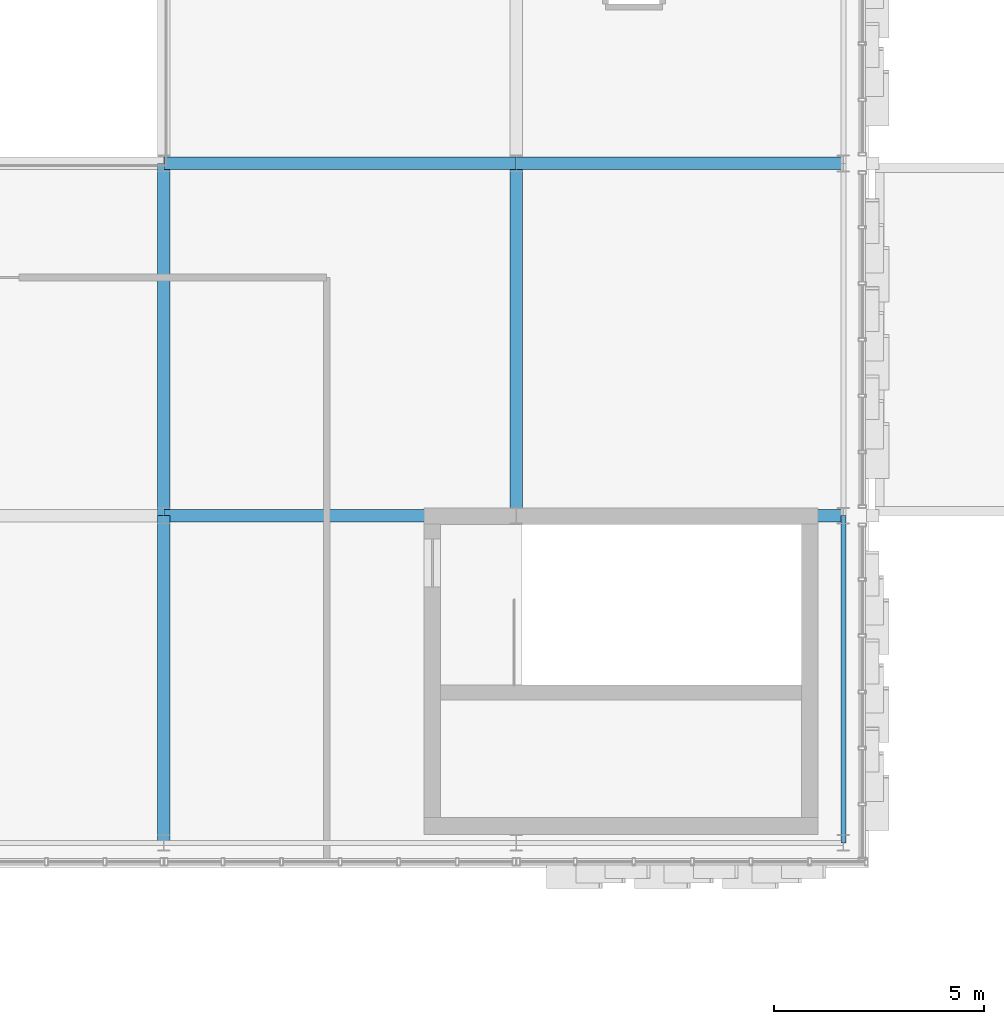
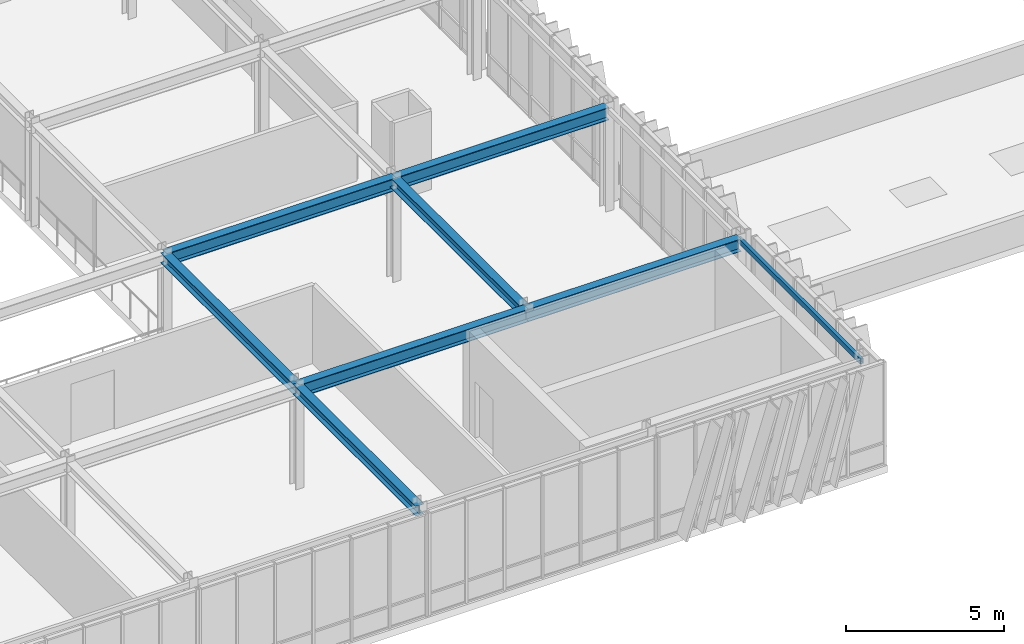
# One storey, part 51 of 123: 8 beams.
"""IFC4 building model written with IfcOpenShell, lengths in metres."""

from ifc_helpers import new_model, si_unit, direction, frame, origin, origin_2d, place, context, subcontext, project, spatial, hollow_rectangle, i_section, extrude, material, material_profile, profile_set, type_object, element, save


model = new_model("IFC4")

# Units and contexts
model_context = context("Model", 3, precision=1e-05, world=origin(), true_north=direction((0.0, 1.0)))
body_context = subcontext(model_context, "Body", "Model", "MODEL_VIEW")
ifc_project = project(units=[si_unit("LENGTHUNIT", "METRE"), si_unit("AREAUNIT", "SQUARE_METRE"), si_unit("VOLUMEUNIT", "CUBIC_METRE"), si_unit("PLANEANGLEUNIT", "RADIAN"), si_unit("MASSUNIT", "GRAM", prefix="KILO")], contexts=[model_context])

# Site, building, storey
site_placement = place(None, origin())
site = spatial("IfcSite", under=ifc_project, at=site_placement, CompositionType="ELEMENT")
building_placement = place(site_placement, origin())
building = spatial("IfcBuilding", under=site, at=building_placement, Name="Zayran Congress Hotel", CompositionType="ELEMENT")
storey_placement = place(building_placement, frame((0.0, 0.0, 15.0)))
storey = spatial("IfcBuildingStorey", under=building, at=storey_placement, Name="L03", CompositionType="ELEMENT", Elevation=15.0)

# Beams
ifc_material = material(Name="Steel S355", Category="steel")
ifc_material_profile_1 = material_profile(ifc_material, i_section(OverallWidth=0.300048828125, OverallDepth=0.489990234375, WebThickness=0.011962890625, FlangeThickness=0.02294921875, at=origin_2d()), Name="HEA 500")
ifc_profile_set_1 = profile_set([ifc_material_profile_1], Name="Steel S355")
beam_type_1 = type_object("IfcBeamType", Name="TP-BM-05", PredefinedType="BEAM", material=ifc_profile_set_1)
beam_1_placement = place(storey_placement, frame((75.60009765625, 76.0, 3.735107421875), z_axis=(1.0, 0.0, 0.0), x_axis=(0.0, 1.0, 0.0)))
element("IfcBeam", 1, at=beam_1_placement, inside=storey, type_object=beam_type_1, Name="BM-V1-L03-0809", PredefinedType="BEAM", context=body_context, shape_type="SweptSolid", body=[
    extrude(i_section(OverallWidth=0.300048828125, OverallDepth=0.489990234375, WebThickness=0.011962890625, FlangeThickness=0.02294921875, at=origin_2d()), origin(), (0.0, 0.0, 1.0), 8.39990234375),
])
beam_2_placement = place(storey_placement, frame((84.0, 76.0, 3.735107421875), z_axis=(1.0, 0.0, 0.0), x_axis=(0.0, 1.0, 0.0)))
element("IfcBeam", 2, at=beam_2_placement, inside=storey, type_object=beam_type_1, Name="BM-V1-L03-0810", PredefinedType="BEAM", context=body_context, shape_type="SweptSolid", body=[
    extrude(i_section(OverallWidth=0.300048828125, OverallDepth=0.489990234375, WebThickness=0.011962890625, FlangeThickness=0.02294921875, at=origin_2d()), origin(), (0.0, 0.0, 1.0), 7.800048828125),
])
beam_3_placement = place(storey_placement, frame((75.60009765625, 84.39990234375, 3.735107421875), z_axis=(1.0, 0.0, 0.0), x_axis=(0.0, 1.0, 0.0)))
element("IfcBeam", 3, at=beam_3_placement, inside=storey, type_object=beam_type_1, Name="BM-V1-L03-0819", PredefinedType="BEAM", context=body_context, shape_type="SweptSolid", body=[
    extrude(i_section(OverallWidth=0.300048828125, OverallDepth=0.489990234375, WebThickness=0.011962890625, FlangeThickness=0.02294921875, at=origin_2d()), origin(), (0.0, 0.0, 1.0), 8.39990234375),
])
beam_4_placement = place(storey_placement, frame((84.0, 84.39990234375, 3.735107421875), z_axis=(1.0, 0.0, 0.0), x_axis=(0.0, 1.0, 0.0)))
element("IfcBeam", 4, at=beam_4_placement, inside=storey, type_object=beam_type_1, Name="BM-V1-L03-0820", PredefinedType="BEAM", context=body_context, shape_type="SweptSolid", body=[
    extrude(i_section(OverallWidth=0.300048828125, OverallDepth=0.489990234375, WebThickness=0.011962890625, FlangeThickness=0.02294921875, at=origin_2d()), origin(), (0.0, 0.0, 1.0), 7.800048828125),
])
ifc_material_profile_2 = material_profile(ifc_material, i_section(OverallWidth=0.300048828125, OverallDepth=0.389892578125, WebThickness=0.010986328125, FlangeThickness=0.01904296875, at=origin_2d()), Name="HEA 400")
ifc_profile_set_2 = profile_set([ifc_material_profile_2], Name="Steel S355")
beam_type_2 = type_object("IfcBeamType", Name="TP-BM-06", PredefinedType="BEAM", material=ifc_profile_set_2)
beam_5_placement = place(storey_placement, frame((75.60009765625, 68.199951171875, 3.784912109375), z_axis=(0.0, 1.0, 0.0), x_axis=(-1.0, 0.0, 0.0)))
element("IfcBeam", 5, at=beam_5_placement, inside=storey, type_object=beam_type_2, Name="BM-V1-L03-0880", PredefinedType="BEAM", context=body_context, shape_type="SweptSolid", body=[
    extrude(i_section(OverallWidth=0.300048828125, OverallDepth=0.389892578125, WebThickness=0.010986328125, FlangeThickness=0.01904296875, at=origin_2d()), origin(), (0.0, 0.0, 1.0), 7.800048828125),
])
for number, where, z_axis, x_axis, name in (
    (6, (75.60009765625, 76.0, 3.784912109375), (0.0, 1.0, 0.0), (-1.0, 0.0, 0.0), "BM-V1-L03-0881"),
    (7, (84.0, 76.0, 3.784912109375), (0.0, 1.0, 0.0), (-1.0, 0.0, 0.0), "BM-V1-L03-0886"),
):
    element("IfcBeam", number, at=place(storey_placement, frame(where, z_axis=z_axis, x_axis=x_axis)), inside=storey, type_object=beam_type_2, Name=name, PredefinedType="BEAM", context=body_context, shape_type="SweptSolid", body=[
        extrude(i_section(OverallWidth=0.300048828125, OverallDepth=0.389892578125, WebThickness=0.010986328125, FlangeThickness=0.01904296875, at=origin_2d()), origin(), (0.0, 0.0, 1.0), 8.39990234375),
    ])
ifc_material_profile_3 = material_profile(ifc_material, hollow_rectangle(XDim=0.1201171875, YDim=0.199951171875, WallThickness=0.008056640625, at=origin_2d()), Name="RHS 200x120x8")
ifc_profile_set_3 = profile_set([ifc_material_profile_3], Name="Steel S355")
beam_type_3 = type_object("IfcBeamType", Name="TP-SP-02", PredefinedType="SPANDREL", material=ifc_profile_set_3)
beam_6_placement = place(storey_placement, frame((91.800048828125, 68.199951171875, 3.8798828125), z_axis=(0.0, 1.0, 0.0), x_axis=(-1.0, 0.0, 0.0)))
element("IfcBeam", 8, at=beam_6_placement, inside=storey, type_object=beam_type_3, Name="BM-V1-L03-0890", PredefinedType="SPANDREL", context=body_context, shape_type="SweptSolid", body=[
    extrude(hollow_rectangle(XDim=0.1201171875, YDim=0.199951171875, WallThickness=0.008056640625, at=origin_2d()), origin(), (0.0, 0.0, 1.0), 7.800048828125),
])

save(model, "model.ifc")
